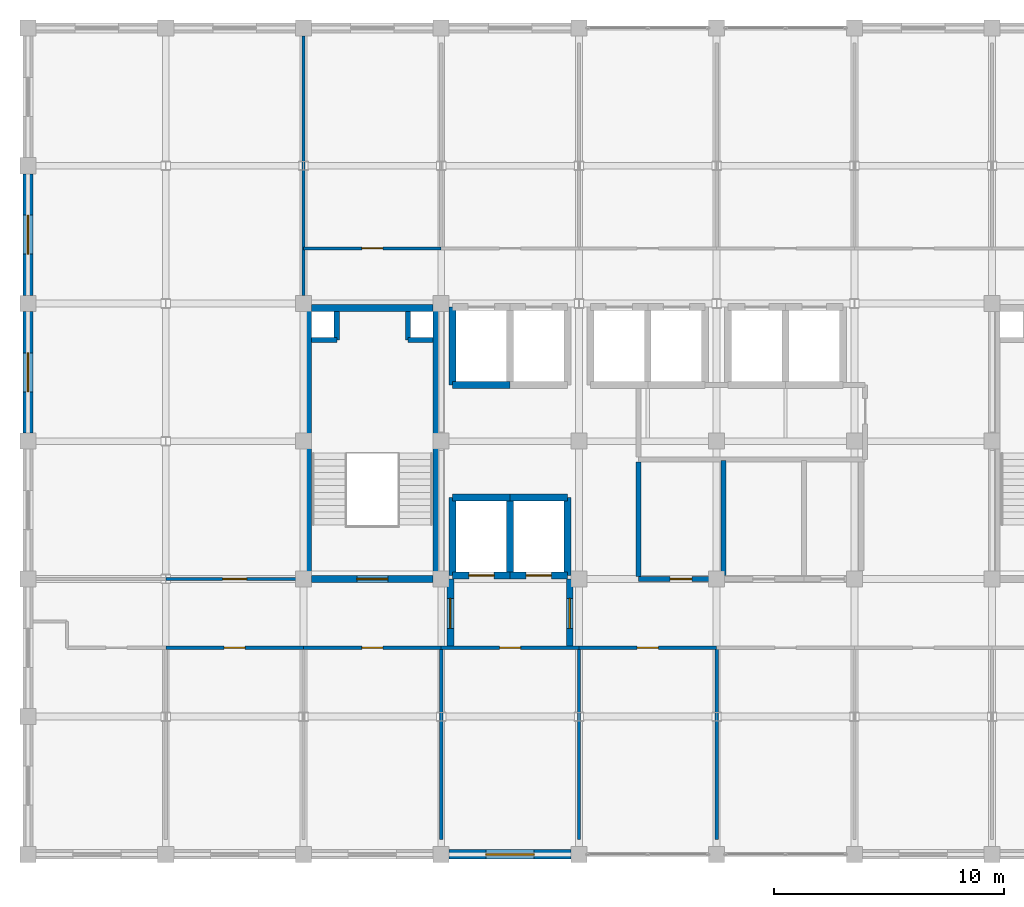
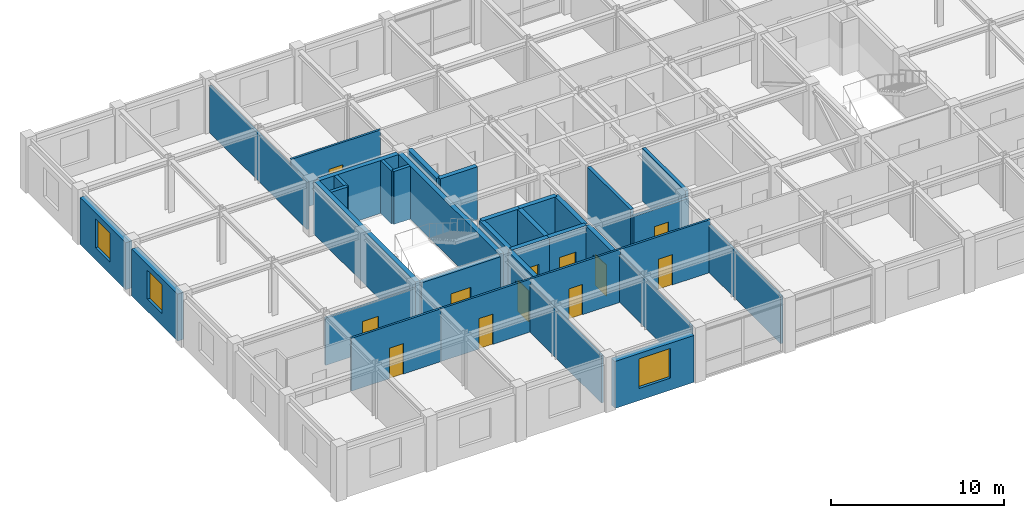
# One storey, part 10 of 14: 35 walls, 12 doors, 3 windows, 15 openings.
"""IFC4 building model written with IfcOpenShell, lengths in metres."""

from ifc_helpers import new_model, si_unit, direction, frame, frame_2d, origin, place, context, subcontext, project, spatial, rectangle, extrude, material, layer, layer_set, type_object, element, fill, save


model = new_model("IFC4")

# Units and contexts
model_context = context("Model", 3, precision=1e-05, world=origin(), true_north=direction((0.0, 1.0)))
body_context = subcontext(model_context, "Body", "Model", "MODEL_VIEW")
ifc_project = project(units=[si_unit("LENGTHUNIT", "METRE"), si_unit("AREAUNIT", "SQUARE_METRE"), si_unit("VOLUMEUNIT", "CUBIC_METRE"), si_unit("PLANEANGLEUNIT", "RADIAN"), si_unit("MASSUNIT", "GRAM", prefix="KILO")], contexts=[model_context])

# Site, building, storey
site_placement = place(None, origin())
site = spatial("IfcSite", under=ifc_project, at=site_placement, CompositionType="ELEMENT")
building_placement = place(site_placement, origin())
building = spatial("IfcBuilding", under=site, at=building_placement, Name="Zlatovratsky Civic Hall", CompositionType="ELEMENT")
storey_placement = place(building_placement, frame((0.0, 0.0, 28.800048828125)))
storey = spatial("IfcBuildingStorey", under=building, at=storey_placement, Name="L07", CompositionType="ELEMENT", Elevation=28.800048828125)

# Wall, opening, door
ifc_material_1 = material(Name="Fire-rated gypsum board framing", Category="gypsum")
ifc_layer_1 = layer(ifc_material_1, 0.139892578125)
ifc_layer_set_1 = layer_set([ifc_layer_1], Name="Fire-rated gypsum board framing")
wall_type_1 = type_object("IfcWallType", Name="Wall_OfficePartition_140", PredefinedType="PARTITIONING", material=ifc_layer_set_1)
wall_1_placement = place(storey_placement, frame((60.0, 81.0, 0.0), z_axis=(0.0, 0.0, 1.0), x_axis=(1.0, 0.0, 0.0)))
wall_1 = element("IfcWall", 1, at=wall_1_placement, inside=storey, type_object=wall_type_1, Name="WL-6357", PredefinedType="PARTITIONING", context=body_context, shape_type="SweptSolid", body=[
    extrude(rectangle(XDim=6.0, YDim=0.139892578125, at=frame_2d((3.0, 0.0))), origin(), (0.0, 0.0, 1.0), 3.739990234375),
])
opening_1_placement = place(wall_1_placement, frame((2.5400390625, 0.0, 0.0)))
opening_1 = element("IfcOpeningElement", 2, at=opening_1_placement, cuts=wall_1, Name="Opening D-23", PredefinedType="OPENING", context=body_context, shape_type="SweptSolid", body=[
    extrude(rectangle(XDim=0.919921875, YDim=2.14990234375, at=frame_2d((0.4599609375, 1.074951171875))), frame((0.0, 0.0849609375, 0.0), z_axis=(0.0, -1.0, 0.0), x_axis=(1.0, 0.0, 0.0)), (0.0, 0.0, 1.0), 0.169677734375),
])
ifc_material_2 = material(Name="Solid oak joinery in steel frame", Category="steel")
door_type_1 = type_object("IfcDoorType", Name="Door_OfficeStandard_920x2150", OperationType="NOTDEFINED", PredefinedType="DOOR", material=ifc_material_2)
door_1_placement = place(opening_1_placement, origin())
door_1 = element("IfcDoor", 3, at=door_1_placement, inside=storey, type_object=door_type_1, Name="DR-5384", OperationType="SINGLE_SWING_RIGHT", OverallHeight=2.14990234375, OverallWidth=0.919921875, PredefinedType="DOOR", context=body_context, shape_type="SweptSolid", body=[
    extrude(rectangle(XDim=0.919921875, YDim=2.14990234375, at=frame_2d((0.4599609375, 1.074951171875))), frame((0.0, 0.02490234375, 0.0), z_axis=(0.0, -1.0, 0.0), x_axis=(1.0, 0.0, 0.0)), (0.0, 0.0, 1.0), 0.050048828125),
])
fill(opening_1, door_1)

wall_2_placement = place(storey_placement, frame((66.0, 81.0, 0.0), z_axis=(0.0, 0.0, 1.0), x_axis=(1.0, 0.0, 0.0)))
wall_2 = element("IfcWall", 4, at=wall_2_placement, inside=storey, type_object=wall_type_1, Name="WL-6358", PredefinedType="PARTITIONING", context=body_context, shape_type="SweptSolid", body=[
    extrude(rectangle(XDim=6.0, YDim=0.139892578125, at=frame_2d((3.0, 0.0))), origin(), (0.0, 0.0, 1.0), 3.739990234375),
])
opening_2_placement = place(wall_2_placement, frame((2.5400390625, 0.0, 0.0)))
opening_2 = element("IfcOpeningElement", 5, at=opening_2_placement, cuts=wall_2, Name="Opening D-23", PredefinedType="OPENING", context=body_context, shape_type="SweptSolid", body=[
    extrude(rectangle(XDim=0.919921875, YDim=2.14990234375, at=frame_2d((0.4599609375, 1.074951171875))), frame((0.0, 0.0849609375, 0.0), z_axis=(0.0, -1.0, 0.0), x_axis=(1.0, 0.0, 0.0)), (0.0, 0.0, 1.0), 0.169677734375),
])
door_2_placement = place(opening_2_placement, origin())
door_2 = element("IfcDoor", 6, at=door_2_placement, inside=storey, type_object=door_type_1, Name="DR-5385", OperationType="SINGLE_SWING_RIGHT", OverallHeight=2.14990234375, OverallWidth=0.919921875, PredefinedType="DOOR", context=body_context, shape_type="SweptSolid", body=[
    extrude(rectangle(XDim=0.919921875, YDim=2.14990234375, at=frame_2d((0.4599609375, 1.074951171875))), frame((0.0, 0.02490234375, 0.0), z_axis=(0.0, -1.0, 0.0), x_axis=(1.0, 0.0, 0.0)), (0.0, 0.0, 1.0), 0.050048828125),
])
fill(opening_2, door_2)

wall_3_placement = place(storey_placement, frame((72.0, 81.0, 0.0), z_axis=(0.0, 0.0, 1.0), x_axis=(1.0, 0.0, 0.0)))
wall_3 = element("IfcWall", 7, at=wall_3_placement, inside=storey, type_object=wall_type_1, Name="WL-6359", PredefinedType="PARTITIONING", context=body_context, shape_type="SweptSolid", body=[
    extrude(rectangle(XDim=6.0, YDim=0.139892578125, at=frame_2d((3.0, 0.0))), origin(), (0.0, 0.0, 1.0), 3.739990234375),
])
opening_3_placement = place(wall_3_placement, frame((2.5400390625, 0.0, 0.0)))
opening_3 = element("IfcOpeningElement", 8, at=opening_3_placement, cuts=wall_3, Name="Opening D-23", PredefinedType="OPENING", context=body_context, shape_type="SweptSolid", body=[
    extrude(rectangle(XDim=0.919921875, YDim=2.14990234375, at=frame_2d((0.4599609375, 1.074951171875))), frame((0.0, 0.0849609375, 0.0), z_axis=(0.0, -1.0, 0.0), x_axis=(1.0, 0.0, 0.0)), (0.0, 0.0, 1.0), 0.169677734375),
])
door_3_placement = place(opening_3_placement, origin())
door_3 = element("IfcDoor", 9, at=door_3_placement, inside=storey, type_object=door_type_1, Name="DR-5386", OperationType="SINGLE_SWING_RIGHT", OverallHeight=2.14990234375, OverallWidth=0.919921875, PredefinedType="DOOR", context=body_context, shape_type="SweptSolid", body=[
    extrude(rectangle(XDim=0.919921875, YDim=2.14990234375, at=frame_2d((0.4599609375, 1.074951171875))), frame((0.0, 0.02490234375, 0.0), z_axis=(0.0, -1.0, 0.0), x_axis=(1.0, 0.0, 0.0)), (0.0, 0.0, 1.0), 0.050048828125),
])
fill(opening_3, door_3)

wall_4_placement = place(storey_placement, frame((78.0, 81.0, 0.0), z_axis=(0.0, 0.0, 1.0), x_axis=(1.0, 0.0, 0.0)))
wall_4 = element("IfcWall", 10, at=wall_4_placement, inside=storey, type_object=wall_type_1, Name="WL-6360", PredefinedType="PARTITIONING", context=body_context, shape_type="SweptSolid", body=[
    extrude(rectangle(XDim=6.0, YDim=0.139892578125, at=frame_2d((3.0, 0.0))), origin(), (0.0, 0.0, 1.0), 3.739990234375),
])
opening_4_placement = place(wall_4_placement, frame((2.5400390625, 0.0, 0.0)))
opening_4 = element("IfcOpeningElement", 11, at=opening_4_placement, cuts=wall_4, Name="Opening D-23", PredefinedType="OPENING", context=body_context, shape_type="SweptSolid", body=[
    extrude(rectangle(XDim=0.919921875, YDim=2.14990234375, at=frame_2d((0.4599609375, 1.074951171875))), frame((0.0, 0.0849609375, 0.0), z_axis=(0.0, -1.0, 0.0), x_axis=(1.0, 0.0, 0.0)), (0.0, 0.0, 1.0), 0.169677734375),
])
door_4_placement = place(opening_4_placement, origin())
door_4 = element("IfcDoor", 12, at=door_4_placement, inside=storey, type_object=door_type_1, Name="DR-5387", OperationType="SINGLE_SWING_RIGHT", OverallHeight=2.14990234375, OverallWidth=0.919921875, PredefinedType="DOOR", context=body_context, shape_type="SweptSolid", body=[
    extrude(rectangle(XDim=0.919921875, YDim=2.14990234375, at=frame_2d((0.4599609375, 1.074951171875))), frame((0.0, 0.02490234375, 0.0), z_axis=(0.0, -1.0, 0.0), x_axis=(1.0, 0.0, 0.0)), (0.0, 0.0, 1.0), 0.050048828125),
])
fill(opening_4, door_4)

wall_5_placement = place(storey_placement, frame((66.0, 98.39990234375, 0.0), z_axis=(0.0, 0.0, 1.0), x_axis=(1.0, 0.0, 0.0)))
wall_5 = element("IfcWall", 13, at=wall_5_placement, inside=storey, type_object=wall_type_1, Name="WL-6366", PredefinedType="PARTITIONING", context=body_context, shape_type="SweptSolid", body=[
    extrude(rectangle(XDim=6.0, YDim=0.139892578125, at=frame_2d((3.0, 0.0))), origin(), (0.0, 0.0, 1.0), 3.739990234375),
])
opening_5_placement = place(wall_5_placement, frame((2.5400390625, 0.0, 0.0)))
opening_5 = element("IfcOpeningElement", 14, at=opening_5_placement, cuts=wall_5, Name="Opening D-23", PredefinedType="OPENING", context=body_context, shape_type="SweptSolid", body=[
    extrude(rectangle(XDim=0.919921875, YDim=2.14990234375, at=frame_2d((0.4599609375, 1.074951171875))), frame((0.0, 0.0849609375, 0.0), z_axis=(0.0, -1.0, 0.0), x_axis=(1.0, 0.0, 0.0)), (0.0, 0.0, 1.0), 0.169677734375),
])
door_5_placement = place(opening_5_placement, origin())
door_5 = element("IfcDoor", 15, at=door_5_placement, inside=storey, type_object=door_type_1, Name="DR-5393", OperationType="SINGLE_SWING_RIGHT", OverallHeight=2.14990234375, OverallWidth=0.919921875, PredefinedType="DOOR", context=body_context, shape_type="SweptSolid", body=[
    extrude(rectangle(XDim=0.919921875, YDim=2.14990234375, at=frame_2d((0.4599609375, 1.074951171875))), frame((0.0, 0.02490234375, 0.0), z_axis=(0.0, -1.0, 0.0), x_axis=(1.0, 0.0, 0.0)), (0.0, 0.0, 1.0), 0.050048828125),
])
fill(opening_5, door_5)

wall_6_placement = place(storey_placement, frame((60.0, 84.0, 0.0), z_axis=(0.0, 0.0, 1.0), x_axis=(1.0, 0.0, 0.0)))
wall_6 = element("IfcWall", 16, at=wall_6_placement, inside=storey, type_object=wall_type_1, Name="WL-6372", PredefinedType="PARTITIONING", context=body_context, shape_type="SweptSolid", body=[
    extrude(rectangle(XDim=6.0, YDim=0.139892578125, at=frame_2d((3.0, 0.0))), origin(), (0.0, 0.0, 1.0), 3.35205078125),
])
opening_6_placement = place(wall_6_placement, frame((2.47509765625, 0.0, 0.0)))
opening_6 = element("IfcOpeningElement", 17, at=opening_6_placement, cuts=wall_6, Name="Opening D-24", PredefinedType="OPENING", context=body_context, shape_type="SweptSolid", body=[
    extrude(rectangle(XDim=1.050048828125, YDim=2.25, at=frame_2d((0.52490234375, 1.125))), frame((0.0, 0.0849609375, 0.0), z_axis=(0.0, -1.0, 0.0), x_axis=(1.0, 0.0, 0.0)), (0.0, 0.0, 1.0), 0.169677734375),
])
door_type_2 = type_object("IfcDoorType", Name="Door_DirectorateOffice_1050x2250", OperationType="NOTDEFINED", PredefinedType="DOOR", material=ifc_material_2)
door_6_placement = place(opening_6_placement, origin())
door_6 = element("IfcDoor", 18, at=door_6_placement, inside=storey, type_object=door_type_2, Name="DR-5399", OperationType="SINGLE_SWING_LEFT", OverallHeight=2.25, OverallWidth=1.050048828125, PredefinedType="DOOR", context=body_context, shape_type="SweptSolid", body=[
    extrude(rectangle(XDim=1.050048828125, YDim=2.25, at=frame_2d((0.52490234375, 1.125))), frame((0.0, 0.02490234375, 0.0), z_axis=(0.0, -1.0, 0.0), x_axis=(1.0, 0.0, 0.0)), (0.0, 0.0, 1.0), 0.050048828125),
])
fill(opening_6, door_6)

# Walls
for number, where, z_axis, x_axis, name in (
    (19, (72.0, 72.64990234375, 0.0), (0.0, 0.0, 1.0), (0.0, 1.0, 0.0), "WL-6376"),
    (20, (78.0, 72.64990234375, 0.0), (0.0, 0.0, 1.0), (0.0, 1.0, 0.0), "WL-6377"),
    (21, (84.0, 72.64990234375, 0.0), (0.0, 0.0, 1.0), (0.0, 1.0, 0.0), "WL-6378"),
):
    element("IfcWall", number, at=place(storey_placement, frame(where, z_axis=z_axis, x_axis=x_axis)), inside=storey, type_object=wall_type_1, Name=name, PredefinedType="PARTITIONING", context=body_context, shape_type="SweptSolid", body=[
        extrude(rectangle(XDim=8.35009765625, YDim=0.139892578125, at=frame_2d((4.175048828125, 0.0))), origin(), (0.0, 0.0, 1.0), 3.35205078125),
    ])
wall_7_placement = place(storey_placement, frame((66.0, 96.35009765625, 0.0), z_axis=(0.0, 0.0, 1.0), x_axis=(0.0, 1.0, 0.0)))
element("IfcWall", 22, at=wall_7_placement, inside=storey, type_object=wall_type_1, Name="WL-6397", PredefinedType="PARTITIONING", context=body_context, shape_type="SweptSolid", body=[
    extrude(rectangle(XDim=11.2998046875, YDim=0.139892578125, at=frame_2d((5.64990234375, 0.0))), origin(), (0.0, 0.0, 1.0), 3.35205078125),
])
ifc_material_3 = material(Name="Acoustic ceramic blockwork", Category="masonry")
ifc_layer_2 = layer(ifc_material_3, 0.219970703125)
ifc_layer_set_2 = layer_set([ifc_layer_2], Name="Acoustic ceramic blockwork")
wall_type_2 = type_object("IfcWallType", Name="Wall_SanitaryWetCore_220", PredefinedType="PARTITIONING", material=ifc_layer_set_2)
wall_8_placement = place(storey_placement, frame((67.449951171875, 94.39990234375, 0.0), z_axis=(0.0, 0.0, 1.0), x_axis=(0.0, 1.0, 0.0)))
element("IfcWall", 23, at=wall_8_placement, inside=storey, type_object=wall_type_2, Name="WL-5061", PredefinedType="PARTITIONING", context=body_context, shape_type="SweptSolid", body=[
    extrude(rectangle(XDim=1.25, YDim=0.219970703125, at=frame_2d((0.625, 0.0))), origin(), (0.0, 0.0, 1.0), 3.739990234375),
])
wall_9_placement = place(storey_placement, frame((66.35009765625, 94.39990234375, 0.0), z_axis=(0.0, 0.0, 1.0), x_axis=(1.0, 0.0, 0.0)))
element("IfcWall", 24, at=wall_9_placement, inside=storey, type_object=wall_type_2, Name="WL-5062", PredefinedType="PARTITIONING", context=body_context, shape_type="SweptSolid", body=[
    extrude(rectangle(XDim=1.099853515625, YDim=0.219970703125, at=frame_2d((0.5498046875, 0.0))), origin(), (0.0, 0.0, 1.0), 3.739990234375),
])
wall_10_placement = place(storey_placement, frame((70.550048828125, 94.39990234375, 0.0), z_axis=(0.0, 0.0, 1.0), x_axis=(0.0, 1.0, 0.0)))
element("IfcWall", 25, at=wall_10_placement, inside=storey, type_object=wall_type_2, Name="WL-5063", PredefinedType="PARTITIONING", context=body_context, shape_type="SweptSolid", body=[
    extrude(rectangle(XDim=1.25, YDim=0.219970703125, at=frame_2d((0.625, 0.0))), origin(), (0.0, 0.0, 1.0), 3.739990234375),
])
wall_11_placement = place(storey_placement, frame((70.550048828125, 94.39990234375, 0.0), z_axis=(0.0, 0.0, 1.0), x_axis=(1.0, 0.0, 0.0)))
element("IfcWall", 26, at=wall_11_placement, inside=storey, type_object=wall_type_2, Name="WL-5064", PredefinedType="PARTITIONING", context=body_context, shape_type="SweptSolid", body=[
    extrude(rectangle(XDim=1.099853515625, YDim=0.219970703125, at=frame_2d((0.5498046875, 0.0))), origin(), (0.0, 0.0, 1.0), 3.739990234375),
])

# Wall, opening, door
wall_12_placement = place(storey_placement, frame((80.60009765625, 84.0, 0.0), z_axis=(0.0, 0.0, 1.0), x_axis=(1.0, 0.0, 0.0)))
wall_12 = element("IfcWall", 27, at=wall_12_placement, inside=storey, type_object=wall_type_2, Name="WL-6349", PredefinedType="PARTITIONING", context=body_context, shape_type="SweptSolid", body=[
    extrude(rectangle(XDim=3.699951171875, YDim=0.219970703125, at=frame_2d((1.85009765625, 0.0))), origin(), (0.0, 0.0, 1.0), 3.35205078125),
])
opening_7_placement = place(wall_12_placement, frame((1.375, 0.0, 0.0)))
opening_7 = element("IfcOpeningElement", 28, at=opening_7_placement, cuts=wall_12, Name="Opening D-21", PredefinedType="OPENING", context=body_context, shape_type="SweptSolid", body=[
    extrude(rectangle(XDim=0.949951171875, YDim=2.14990234375, at=frame_2d((0.47509765625, 1.074951171875))), frame((0.0, 0.125, 0.0), z_axis=(0.0, -1.0, 0.0), x_axis=(1.0, 0.0, 0.0)), (0.0, 0.0, 1.0), 0.249755859375),
])
door_type_3 = type_object("IfcDoorType", Name="Door_MensWC_950x2150", OperationType="NOTDEFINED", PredefinedType="DOOR", material=ifc_material_2)
door_7_placement = place(opening_7_placement, origin())
door_7 = element("IfcDoor", 29, at=door_7_placement, inside=storey, type_object=door_type_3, Name="DR-5379", OperationType="SINGLE_SWING_LEFT", OverallHeight=2.14990234375, OverallWidth=0.949951171875, PredefinedType="DOOR", context=body_context, shape_type="SweptSolid", body=[
    extrude(rectangle(XDim=0.949951171875, YDim=2.14990234375, at=frame_2d((0.47509765625, 1.074951171875))), frame((0.0, 0.02490234375, 0.0), z_axis=(0.0, -1.0, 0.0), x_axis=(1.0, 0.0, 0.0)), (0.0, 0.0, 1.0), 0.050048828125),
])
fill(opening_7, door_7)

# Walls
wall_13_placement = place(storey_placement, frame((84.300048828125, 84.14990234375, 0.0), z_axis=(0.0, 0.0, 1.0), x_axis=(0.0, 1.0, 0.0)))
element("IfcWall", 30, at=wall_13_placement, inside=storey, type_object=wall_type_2, Name="WL-6352", PredefinedType="PARTITIONING", context=body_context, shape_type="SweptSolid", body=[
    extrude(rectangle(XDim=5.0, YDim=0.219970703125, at=frame_2d((2.5, 0.0))), origin(), (0.0, 0.0, 1.0), 3.739990234375),
])
wall_14_placement = place(storey_placement, frame((80.60009765625, 84.110107421875, 0.0), z_axis=(0.0, 0.0, 1.0), x_axis=(0.0, 1.0, 0.0)))
element("IfcWall", 31, at=wall_14_placement, inside=storey, type_object=wall_type_2, Name="WL-6388", PredefinedType="PARTITIONING", context=body_context, shape_type="SweptSolid", body=[
    extrude(rectangle(XDim=4.97998046875, YDim=0.219970703125, at=frame_2d((2.489990234375, 0.0))), origin(), (0.0, 0.0, 1.0), 3.739990234375),
])

# Wall, opening, door
ifc_material_4 = material(Name="Concrete C35/45 (B40)", Category="concrete")
ifc_layer_3 = layer(ifc_material_4, 0.300048828125)
ifc_layer_set_3 = layer_set([ifc_layer_3], Name="Concrete C35/45 (B40)")
wall_type_3 = type_object("IfcWallType", Name="Wall_StairAndLiftShaft_300", PredefinedType="SHEAR", material=ifc_layer_set_3)
wall_15_placement = place(storey_placement, frame((66.35009765625, 84.0, 0.0), z_axis=(0.0, 0.0, 1.0), x_axis=(1.0, 0.0, 0.0)))
wall_15 = element("IfcWall", 32, at=wall_15_placement, inside=storey, type_object=wall_type_3, Name="WL-5057", PredefinedType="SHEAR", context=body_context, shape_type="SweptSolid", body=[
    extrude(rectangle(XDim=5.2998046875, YDim=0.300048828125, at=frame_2d((2.64990234375, 0.0))), origin(), (0.0, 0.0, 1.0), 3.659912109375),
])
opening_8_placement = place(wall_15_placement, frame((1.97509765625, 0.0, 0.0)))
opening_8 = element("IfcOpeningElement", 33, at=opening_8_placement, cuts=wall_15, Name="Opening D-17", PredefinedType="OPENING", context=body_context, shape_type="SweptSolid", body=[
    extrude(rectangle(XDim=1.35009765625, YDim=2.199951171875, at=frame_2d((0.675048828125, 1.10009765625))), frame((0.0, 0.1650390625, 0.0), z_axis=(0.0, -1.0, 0.0), x_axis=(1.0, 0.0, 0.0)), (0.0, 0.0, 1.0), 0.329833984375),
])
ifc_material_5 = material(Name="Insulated painted fire-rated steel leaf", Category="steel")
door_type_4 = type_object("IfcDoorType", Name="Door_StairwellFireTower_1350x2200", OperationType="NOTDEFINED", PredefinedType="DOOR", material=ifc_material_5)
door_8_placement = place(opening_8_placement, origin())
door_8 = element("IfcDoor", 34, at=door_8_placement, inside=storey, type_object=door_type_4, Name="DR-5008", OperationType="SINGLE_SWING_LEFT", OverallHeight=2.199951171875, OverallWidth=1.35009765625, PredefinedType="DOOR", context=body_context, shape_type="SweptSolid", body=[
    extrude(rectangle(XDim=1.35009765625, YDim=2.199951171875, at=frame_2d((0.675048828125, 1.10009765625))), frame((0.0, 0.02490234375, 0.0), z_axis=(0.0, -1.0, 0.0), x_axis=(1.0, 0.0, 0.0)), (0.0, 0.0, 1.0), 0.050048828125),
])
fill(opening_8, door_8)

# Walls
wall_16_placement = place(storey_placement, frame((66.35009765625, 95.800048828125, 0.0), z_axis=(0.0, 0.0, 1.0), x_axis=(1.0, 0.0, 0.0)))
element("IfcWall", 35, at=wall_16_placement, inside=storey, type_object=wall_type_3, Name="WL-5058", PredefinedType="SHEAR", context=body_context, shape_type="SweptSolid", body=[
    extrude(rectangle(XDim=5.2998046875, YDim=0.300048828125, at=frame_2d((2.64990234375, 0.0))), origin(), (0.0, 0.0, 1.0), 3.739990234375),
])
for number, where, z_axis, x_axis, name in (
    (36, (66.199951171875, 84.0, 0.0), (0.0, 0.0, 1.0), (0.0, 1.0, 0.0), "WL-5059"),
    (37, (71.800048828125, 84.0, 0.0), (0.0, 0.0, 1.0), (0.0, 1.0, 0.0), "WL-5060"),
):
    element("IfcWall", number, at=place(storey_placement, frame(where, z_axis=z_axis, x_axis=x_axis)), inside=storey, type_object=wall_type_3, Name=name, PredefinedType="SHEAR", context=body_context, shape_type="SweptSolid", body=[
        extrude(rectangle(XDim=11.800048828125, YDim=0.300048828125, at=frame_2d((5.89990234375, 0.0))), origin(), (0.0, 0.0, 1.0), 3.739990234375),
    ])

# Wall, opening, door
wall_17_placement = place(storey_placement, frame((72.5, 84.14990234375, 0.0), z_axis=(0.0, 0.0, 1.0), x_axis=(1.0, 0.0, 0.0)))
wall_17 = element("IfcWall", 38, at=wall_17_placement, inside=storey, type_object=wall_type_3, Name="WL-5514", PredefinedType="SHEAR", context=body_context, shape_type="SweptSolid", body=[
    extrude(rectangle(XDim=2.5, YDim=0.300048828125, at=frame_2d((1.25, 0.0))), origin(), (0.0, 0.0, 1.0), 3.739990234375),
])
opening_9_placement = place(wall_17_placement, frame((0.699951171875, 0.0, 0.0)))
opening_9 = element("IfcOpeningElement", 39, at=opening_9_placement, cuts=wall_17, Name="Opening LD-01", PredefinedType="OPENING", context=body_context, shape_type="SweptSolid", body=[
    extrude(rectangle(XDim=1.10009765625, YDim=2.10009765625, at=frame_2d((0.550048828125, 1.050048828125))), frame((0.0, 0.1650390625, 0.0), z_axis=(0.0, -1.0, 0.0), x_axis=(1.0, 0.0, 0.0)), (0.0, 0.0, 1.0), 0.329833984375),
])
ifc_material_6 = material(Name="Brushed stainless steel AISI 304", Category="steel")
door_type_5 = type_object("IfcDoorType", Name="Door_LiftLandingFire_1100x2100", OperationType="DOUBLE_DOOR_SLIDING", PredefinedType="DOOR", material=ifc_material_6)
door_9_placement = place(opening_9_placement, origin())
door_9 = element("IfcDoor", 40, at=door_9_placement, inside=storey, type_object=door_type_5, Name="Lift landing door LD-5066", OperationType="DOUBLE_DOOR_SLIDING", OverallHeight=2.10009765625, OverallWidth=1.10009765625, PredefinedType="DOOR", context=body_context, shape_type="SweptSolid", body=[
    extrude(rectangle(XDim=1.10009765625, YDim=2.10009765625, at=frame_2d((0.550048828125, 1.050048828125))), frame((0.0, 0.02490234375, 0.0), z_axis=(0.0, -1.0, 0.0), x_axis=(1.0, 0.0, 0.0)), (0.0, 0.0, 1.0), 0.050048828125),
])
fill(opening_9, door_9)

# Walls
wall_18_placement = place(storey_placement, frame((72.5, 87.550048828125, 0.0), z_axis=(0.0, 0.0, 1.0), x_axis=(1.0, 0.0, 0.0)))
element("IfcWall", 41, at=wall_18_placement, inside=storey, type_object=wall_type_3, Name="WL-5515", PredefinedType="SHEAR", context=body_context, shape_type="SweptSolid", body=[
    extrude(rectangle(XDim=2.5, YDim=0.300048828125, at=frame_2d((1.25, 0.0))), origin(), (0.0, 0.0, 1.0), 3.739990234375),
])
wall_19_placement = place(storey_placement, frame((72.5, 84.14990234375, 0.0), z_axis=(0.0, 0.0, 1.0), x_axis=(0.0, 1.0, 0.0)))
element("IfcWall", 42, at=wall_19_placement, inside=storey, type_object=wall_type_3, Name="WL-5516", PredefinedType="SHEAR", context=body_context, shape_type="SweptSolid", body=[
    extrude(rectangle(XDim=3.400146484375, YDim=0.300048828125, at=frame_2d((1.7001953125, 0.0))), origin(), (0.0, 0.0, 1.0), 3.739990234375),
])

# Wall, opening, door
wall_20_placement = place(storey_placement, frame((75.0, 84.14990234375, 0.0), z_axis=(0.0, 0.0, 1.0), x_axis=(1.0, 0.0, 0.0)))
wall_20 = element("IfcWall", 43, at=wall_20_placement, inside=storey, type_object=wall_type_3, Name="WL-5578", PredefinedType="SHEAR", context=body_context, shape_type="SweptSolid", body=[
    extrude(rectangle(XDim=2.5, YDim=0.300048828125, at=frame_2d((1.25, 0.0))), origin(), (0.0, 0.0, 1.0), 3.739990234375),
])
opening_10_placement = place(wall_20_placement, frame((0.699951171875, 0.0, 0.0)))
opening_10 = element("IfcOpeningElement", 44, at=opening_10_placement, cuts=wall_20, Name="Opening LD-01", PredefinedType="OPENING", context=body_context, shape_type="SweptSolid", body=[
    extrude(rectangle(XDim=1.10009765625, YDim=2.10009765625, at=frame_2d((0.550048828125, 1.050048828125))), frame((0.0, 0.1650390625, 0.0), z_axis=(0.0, -1.0, 0.0), x_axis=(1.0, 0.0, 0.0)), (0.0, 0.0, 1.0), 0.329833984375),
])
door_10_placement = place(opening_10_placement, origin())
door_10 = element("IfcDoor", 45, at=door_10_placement, inside=storey, type_object=door_type_5, Name="Lift landing door LD-5085", OperationType="DOUBLE_DOOR_SLIDING", OverallHeight=2.10009765625, OverallWidth=1.10009765625, PredefinedType="DOOR", context=body_context, shape_type="SweptSolid", body=[
    extrude(rectangle(XDim=1.10009765625, YDim=2.10009765625, at=frame_2d((0.550048828125, 1.050048828125))), frame((0.0, 0.02490234375, 0.0), z_axis=(0.0, -1.0, 0.0), x_axis=(1.0, 0.0, 0.0)), (0.0, 0.0, 1.0), 0.050048828125),
])
fill(opening_10, door_10)

# Walls
wall_21_placement = place(storey_placement, frame((75.0, 87.550048828125, 0.0), z_axis=(0.0, 0.0, 1.0), x_axis=(1.0, 0.0, 0.0)))
element("IfcWall", 46, at=wall_21_placement, inside=storey, type_object=wall_type_3, Name="WL-5579", PredefinedType="SHEAR", context=body_context, shape_type="SweptSolid", body=[
    extrude(rectangle(XDim=2.5, YDim=0.300048828125, at=frame_2d((1.25, 0.0))), origin(), (0.0, 0.0, 1.0), 3.739990234375),
])
for number, where, z_axis, x_axis, name in (
    (47, (75.0, 84.14990234375, 0.0), (0.0, 0.0, 1.0), (0.0, 1.0, 0.0), "WL-5580"),
    (48, (77.5, 84.14990234375, 0.0), (0.0, 0.0, 1.0), (0.0, 1.0, 0.0), "WL-5581"),
):
    element("IfcWall", number, at=place(storey_placement, frame(where, z_axis=z_axis, x_axis=x_axis)), inside=storey, type_object=wall_type_3, Name=name, PredefinedType="SHEAR", context=body_context, shape_type="SweptSolid", body=[
        extrude(rectangle(XDim=3.400146484375, YDim=0.300048828125, at=frame_2d((1.7001953125, 0.0))), origin(), (0.0, 0.0, 1.0), 3.739990234375),
    ])
wall_22_placement = place(storey_placement, frame((72.5, 92.449951171875, 0.0), z_axis=(0.0, 0.0, 1.0), x_axis=(1.0, 0.0, 0.0)))
element("IfcWall", 49, at=wall_22_placement, inside=storey, type_object=wall_type_3, Name="WL-5648", PredefinedType="SHEAR", context=body_context, shape_type="SweptSolid", body=[
    extrude(rectangle(XDim=2.5, YDim=0.300048828125, at=frame_2d((1.25, 0.0))), origin(), (0.0, 0.0, 1.0), 3.739990234375),
])
wall_23_placement = place(storey_placement, frame((72.5, 92.449951171875, 0.0), z_axis=(0.0, 0.0, 1.0), x_axis=(0.0, 1.0, 0.0)))
element("IfcWall", 50, at=wall_23_placement, inside=storey, type_object=wall_type_3, Name="WL-5649", PredefinedType="SHEAR", context=body_context, shape_type="SweptSolid", body=[
    extrude(rectangle(XDim=3.400146484375, YDim=0.300048828125, at=frame_2d((1.7001953125, 0.0))), origin(), (0.0, 0.0, 1.0), 3.739990234375),
])

# Wall, opening, door
wall_24_placement = place(storey_placement, frame((72.39990234375, 81.0, 0.0), z_axis=(0.0, 0.0, 1.0), x_axis=(0.0, 1.0, 0.0)))
wall_24 = element("IfcWall", 51, at=wall_24_placement, inside=storey, type_object=wall_type_3, Name="WL-6347", PredefinedType="SHEAR", context=body_context, shape_type="SweptSolid", body=[
    extrude(rectangle(XDim=3.0, YDim=0.300048828125, at=frame_2d((1.5, 0.0))), origin(), (0.0, 0.0, 1.0), 3.739990234375),
])
opening_11_placement = place(wall_24_placement, frame((0.85009765625, 0.0, 0.0)))
opening_11 = element("IfcOpeningElement", 52, at=opening_11_placement, cuts=wall_24, Name="Opening D-18", PredefinedType="OPENING", context=body_context, shape_type="SweptSolid", body=[
    extrude(rectangle(XDim=1.300048828125, YDim=2.199951171875, at=frame_2d((0.64990234375, 1.10009765625))), frame((0.0, 0.1650390625, 0.0), z_axis=(0.0, -1.0, 0.0), x_axis=(1.0, 0.0, 0.0)), (0.0, 0.0, 1.0), 0.329833984375),
])
door_type_6 = type_object("IfcDoorType", Name="Door_FireLobbyAirlock_1300x2200", OperationType="NOTDEFINED", PredefinedType="DOOR", material=ifc_material_5)
door_11_placement = place(opening_11_placement, origin())
door_11 = element("IfcDoor", 53, at=door_11_placement, inside=storey, type_object=door_type_6, Name="DR-5377", OperationType="SINGLE_SWING_RIGHT", OverallHeight=2.199951171875, OverallWidth=1.300048828125, PredefinedType="DOOR", context=body_context, shape_type="SweptSolid", body=[
    extrude(rectangle(XDim=1.300048828125, YDim=2.199951171875, at=frame_2d((0.64990234375, 1.10009765625))), frame((0.0, 0.02490234375, 0.0), z_axis=(0.0, -1.0, 0.0), x_axis=(1.0, 0.0, 0.0)), (0.0, 0.0, 1.0), 0.050048828125),
])
fill(opening_11, door_11)

wall_25_placement = place(storey_placement, frame((77.60009765625, 81.0, 0.0), z_axis=(0.0, 0.0, 1.0), x_axis=(0.0, 1.0, 0.0)))
wall_25 = element("IfcWall", 54, at=wall_25_placement, inside=storey, type_object=wall_type_3, Name="WL-6348", PredefinedType="SHEAR", context=body_context, shape_type="SweptSolid", body=[
    extrude(rectangle(XDim=3.0, YDim=0.300048828125, at=frame_2d((1.5, 0.0))), origin(), (0.0, 0.0, 1.0), 3.739990234375),
])
opening_12_placement = place(wall_25_placement, frame((0.85009765625, 0.0, 0.0)))
opening_12 = element("IfcOpeningElement", 55, at=opening_12_placement, cuts=wall_25, Name="Opening D-18", PredefinedType="OPENING", context=body_context, shape_type="SweptSolid", body=[
    extrude(rectangle(XDim=1.300048828125, YDim=2.199951171875, at=frame_2d((0.64990234375, 1.10009765625))), frame((0.0, 0.1650390625, 0.0), z_axis=(0.0, -1.0, 0.0), x_axis=(1.0, 0.0, 0.0)), (0.0, 0.0, 1.0), 0.329833984375),
])
door_12_placement = place(opening_12_placement, origin())
door_12 = element("IfcDoor", 56, at=door_12_placement, inside=storey, type_object=door_type_6, Name="DR-5378", OperationType="SINGLE_SWING_RIGHT", OverallHeight=2.199951171875, OverallWidth=1.300048828125, PredefinedType="DOOR", context=body_context, shape_type="SweptSolid", body=[
    extrude(rectangle(XDim=1.300048828125, YDim=2.199951171875, at=frame_2d((0.64990234375, 1.10009765625))), frame((0.0, 0.02490234375, 0.0), z_axis=(0.0, -1.0, 0.0), x_axis=(1.0, 0.0, 0.0)), (0.0, 0.0, 1.0), 0.050048828125),
])
fill(opening_12, door_12)

# Wall, opening, window
ifc_layer_4 = layer(ifc_material_3, 0.280029296875, Name="Backing")
ifc_material_7 = material(Name="Podolsk limestone ashlar", Category="masonry")
ifc_layer_5 = layer(ifc_material_7, 0.139892578125, Name="Finish")
ifc_layer_set_4 = layer_set([ifc_layer_4, ifc_layer_5], Name="Acoustic ceramic blockwork")
wall_type_4 = type_object("IfcWallType", Name="Wall_TowerLimestoneAshlar_420", PredefinedType="SOLIDWALL", material=ifc_layer_set_4)
wall_26_placement = place(storey_placement, frame((72.35009765625, 72.0, 0.0), z_axis=(0.0, 0.0, 1.0), x_axis=(1.0, 0.0, 0.0)))
wall_26 = element("IfcWall", 57, at=wall_26_placement, inside=storey, type_object=wall_type_4, Name="WL-0448", PredefinedType="SOLIDWALL", context=body_context, shape_type="SweptSolid", body=[
    extrude(rectangle(XDim=5.2998046875, YDim=0.419921875, at=frame_2d((2.64990234375, 0.0))), origin(), (0.0, 0.0, 1.0), 3.320068359375),
])
opening_13_placement = place(wall_26_placement, frame((1.60009765625, 0.0, 0.85009765625)))
opening_13 = element("IfcOpeningElement", 58, at=opening_13_placement, cuts=wall_26, Name="Opening WN-14", PredefinedType="OPENING", context=body_context, shape_type="SweptSolid", body=[
    extrude(rectangle(XDim=2.10009765625, YDim=2.10009765625, at=frame_2d((1.050048828125, 1.050048828125))), frame((0.0, 0.224853515625, 0.0), z_axis=(0.0, -1.0, 0.0), x_axis=(1.0, 0.0, 0.0)), (0.0, 0.0, 1.0), 0.44970703125),
])
ifc_material_8 = material(Name="Low-E laminated double glazing", Category="glass")
window_type_1 = type_object("IfcWindowType", Name="Window_TowerTier1South_2100x2100", PartitioningType="SINGLE_PANEL", PredefinedType="WINDOW", material=ifc_material_8)
window_1_placement = place(opening_13_placement, origin())
window_1 = element("IfcWindow", 59, at=window_1_placement, inside=storey, type_object=window_type_1, Name="WN-0352", OverallHeight=2.10009765625, OverallWidth=2.10009765625, PartitioningType="SINGLE_PANEL", PredefinedType="WINDOW", context=body_context, shape_type="SweptSolid", body=[
    extrude(rectangle(XDim=2.10009765625, YDim=2.10009765625, at=frame_2d((1.050048828125, 1.050048828125))), frame((0.0, 0.030029296875, 0.0), z_axis=(0.0, -1.0, 0.0), x_axis=(1.0, 0.0, 0.0)), (0.0, 0.0, 1.0), 0.06005859375),
])
fill(opening_13, window_1)

wall_27_placement = place(storey_placement, frame((54.0, 90.35009765625, 0.0), z_axis=(0.0, 0.0, 1.0), x_axis=(0.0, 1.0, 0.0)))
wall_27 = element("IfcWall", 60, at=wall_27_placement, inside=storey, type_object=wall_type_4, Name="WL-0464", PredefinedType="SOLIDWALL", context=body_context, shape_type="SweptSolid", body=[
    extrude(rectangle(XDim=5.2998046875, YDim=0.419921875, at=frame_2d((2.64990234375, 0.0))), origin(), (0.0, 0.0, 1.0), 3.320068359375),
])
opening_14_placement = place(wall_27_placement, frame((1.800048828125, 0.0, 0.85009765625)))
opening_14 = element("IfcOpeningElement", 61, at=opening_14_placement, cuts=wall_27, Name="Opening WN-16", PredefinedType="OPENING", context=body_context, shape_type="SweptSolid", body=[
    extrude(rectangle(XDim=1.699951171875, YDim=2.050048828125, at=frame_2d((0.85009765625, 1.02490234375))), frame((0.0, 0.224853515625, 0.0), z_axis=(0.0, -1.0, 0.0), x_axis=(1.0, 0.0, 0.0)), (0.0, 0.0, 1.0), 0.44970703125),
])
window_type_2 = type_object("IfcWindowType", Name="Window_TowerTier1Flank_1700x2050", PartitioningType="SINGLE_PANEL", PredefinedType="WINDOW", material=ifc_material_8)
window_2_placement = place(opening_14_placement, origin())
window_2 = element("IfcWindow", 62, at=window_2_placement, inside=storey, type_object=window_type_2, Name="WN-0368", OverallHeight=2.050048828125, OverallWidth=1.699951171875, PartitioningType="SINGLE_PANEL", PredefinedType="WINDOW", context=body_context, shape_type="SweptSolid", body=[
    extrude(rectangle(XDim=1.699951171875, YDim=2.050048828125, at=frame_2d((0.85009765625, 1.02490234375))), frame((0.0, 0.030029296875, 0.0), z_axis=(0.0, -1.0, 0.0), x_axis=(1.0, 0.0, 0.0)), (0.0, 0.0, 1.0), 0.06005859375),
])
fill(opening_14, window_2)

wall_28_placement = place(storey_placement, frame((54.0, 96.35009765625, 0.0), z_axis=(0.0, 0.0, 1.0), x_axis=(0.0, 1.0, 0.0)))
wall_28 = element("IfcWall", 63, at=wall_28_placement, inside=storey, type_object=wall_type_4, Name="WL-0465", PredefinedType="SOLIDWALL", context=body_context, shape_type="SweptSolid", body=[
    extrude(rectangle(XDim=5.2998046875, YDim=0.419921875, at=frame_2d((2.64990234375, 0.0))), origin(), (0.0, 0.0, 1.0), 3.320068359375),
])
opening_15_placement = place(wall_28_placement, frame((1.800048828125, 0.0, 0.85009765625)))
opening_15 = element("IfcOpeningElement", 64, at=opening_15_placement, cuts=wall_28, Name="Opening WN-16", PredefinedType="OPENING", context=body_context, shape_type="SweptSolid", body=[
    extrude(rectangle(XDim=1.699951171875, YDim=2.050048828125, at=frame_2d((0.85009765625, 1.02490234375))), frame((0.0, 0.224853515625, 0.0), z_axis=(0.0, -1.0, 0.0), x_axis=(1.0, 0.0, 0.0)), (0.0, 0.0, 1.0), 0.44970703125),
])
window_3_placement = place(opening_15_placement, origin())
window_3 = element("IfcWindow", 65, at=window_3_placement, inside=storey, type_object=window_type_2, Name="WN-0369", OverallHeight=2.050048828125, OverallWidth=1.699951171875, PartitioningType="SINGLE_PANEL", PredefinedType="WINDOW", context=body_context, shape_type="SweptSolid", body=[
    extrude(rectangle(XDim=1.699951171875, YDim=2.050048828125, at=frame_2d((0.85009765625, 1.02490234375))), frame((0.0, 0.030029296875, 0.0), z_axis=(0.0, -1.0, 0.0), x_axis=(1.0, 0.0, 0.0)), (0.0, 0.0, 1.0), 0.06005859375),
])
fill(opening_15, window_3)

save(model, "model.ifc")
